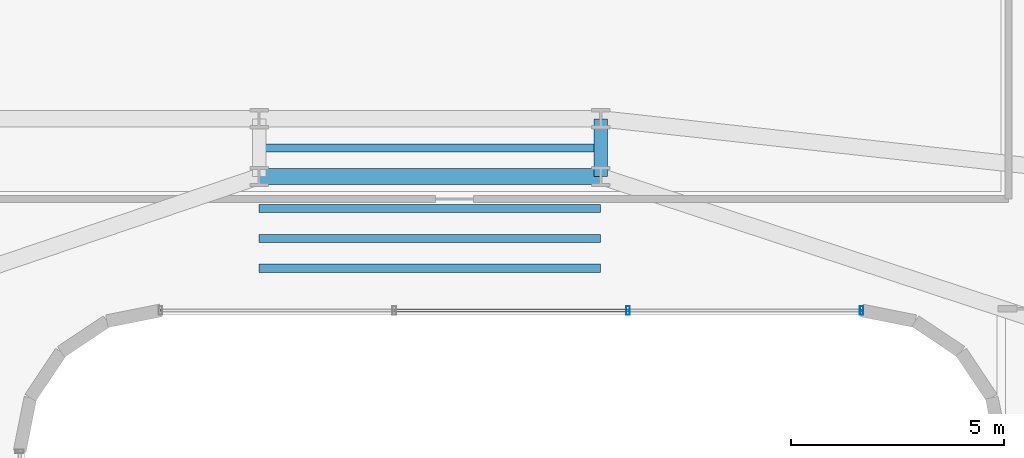
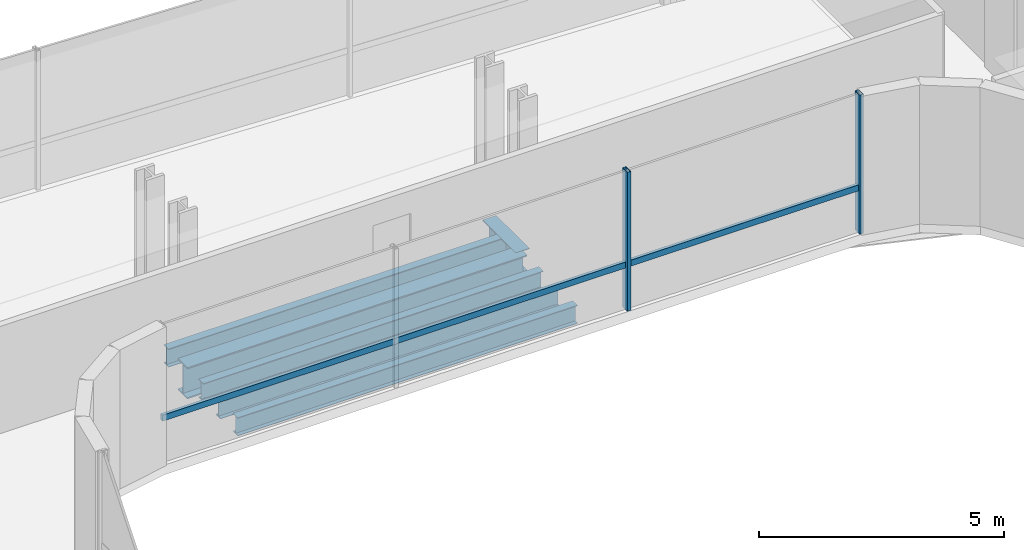
# One storey, part 15 of 35: 6 beams, 3 members, 1 element without a shape of its own.
"""IFC4 building model written with IfcOpenShell, lengths in metres."""

from ifc_helpers import new_model, si_unit, direction, frame, origin, origin_2d, place, context, subcontext, project, spatial, hollow_rectangle, i_section, extrude, source, transform, mapped, material, material_profile, profile_set, type_object, element, aggregate, save


model = new_model("IFC4")

# Units and contexts
model_context = context("Model", 3, precision=1e-05, world=origin(), true_north=direction((0.0, 1.0)))
body_context = subcontext(model_context, "Body", "Model", "MODEL_VIEW")
ifc_project = project(units=[si_unit("LENGTHUNIT", "METRE"), si_unit("AREAUNIT", "SQUARE_METRE"), si_unit("VOLUMEUNIT", "CUBIC_METRE"), si_unit("PLANEANGLEUNIT", "RADIAN"), si_unit("MASSUNIT", "GRAM", prefix="KILO")], contexts=[model_context])

# Site, building, storey
site_placement = place(None, origin())
site = spatial("IfcSite", under=ifc_project, at=site_placement, CompositionType="ELEMENT")
building_placement = place(site_placement, origin())
building = spatial("IfcBuilding", under=site, at=building_placement, Name="Valdorenza Pilgrim Sanctuary Tower", CompositionType="ELEMENT")
storey_placement = place(building_placement, frame((0.0, 0.0, 124.199951171875)))
storey = spatial("IfcBuildingStorey", under=building, at=storey_placement, Name="L31", CompositionType="ELEMENT", Elevation=124.199951171875)

# Beams
ifc_material_1 = material(Name="Steel ASTM A992 Grade 50", Category="steel")
ifc_material_profile_1 = material_profile(ifc_material_1, i_section(OverallWidth=0.323974609375, OverallDepth=0.611083984375, WebThickness=0.0126953125, FlangeThickness=0.01904296875, at=origin_2d()), Name="W24X104")
ifc_profile_set_1 = profile_set([ifc_material_profile_1], Name="Steel ASTM A992 Grade 50")
beam_type_1 = type_object("IfcBeamType", Name="STR-BM-GRD-W24B", PredefinedType="BEAM", material=ifc_profile_set_1)
shared_shape_1 = source(origin(), body_context, "Body", "SweptSolid", [
    extrude(i_section(OverallWidth=0.323974609375, OverallDepth=0.611083984375, WebThickness=0.0126953125, FlangeThickness=0.01904296875, at=origin_2d()), origin(), (0.0, 0.0, 1.0), 1.35009765625),
])
beam_1_placement = place(storey_placement, frame((4.0, 13.449951171875, -0.54541015625), z_axis=(0.0, 1.0, 0.0), x_axis=(-1.0, 0.0, 0.0)))
element("IfcBeam", 1, at=beam_1_placement, inside=storey, type_object=beam_type_1, Name="L31 Floor Girder KNK-TIE-E", PredefinedType="BEAM", context=body_context, shape_type="MappedRepresentation", body=[
    mapped(shared_shape_1, transform((0.0, 0.0, 0.0), x_axis=(1.0, 0.0, 0.0), y_axis=(0.0, 1.0, 0.0), z_axis=(0.0, 0.0, 1.0), scale=1.0)),
])
ifc_material_profile_2 = material_profile(ifc_material_1, i_section(OverallWidth=0.382080078125, OverallDepth=0.779052734375, WebThickness=0.01806640625, FlangeThickness=0.030029296875, at=origin_2d()), Name="W30X191")
ifc_profile_set_2 = profile_set([ifc_material_profile_2], Name="Steel ASTM A992 Grade 50")
beam_type_2 = type_object("IfcBeamType", Name="STR-BM-GRD-W30", PredefinedType="BEAM", material=ifc_profile_set_2)
shared_shape_2 = source(origin(), body_context, "Body", "SweptSolid", [
    extrude(i_section(OverallWidth=0.382080078125, OverallDepth=0.779052734375, WebThickness=0.01806640625, FlangeThickness=0.030029296875, at=origin_2d()), origin(), (0.0, 0.0, 1.0), 8.0),
])
beam_2_placement = place(storey_placement, frame((-4.0, 13.449951171875, -0.62939453125), z_axis=(1.0, 0.0, 0.0), x_axis=(0.0, 1.0, 0.0)))
element("IfcBeam", 2, at=beam_2_placement, inside=storey, type_object=beam_type_2, Name="L31 Floor Girder KNK-G2", PredefinedType="BEAM", context=body_context, shape_type="MappedRepresentation", body=[
    mapped(shared_shape_2, transform((0.0, 0.0, 0.0), x_axis=(1.0, 0.0, 0.0), y_axis=(0.0, 1.0, 0.0), z_axis=(0.0, 0.0, 1.0), scale=1.0)),
])
ifc_material_profile_3 = material_profile(ifc_material_1, i_section(OverallWidth=0.19091796875, OverallDepth=0.45703125, WebThickness=0.009033203125, FlangeThickness=0.014404296875, at=origin_2d()), Name="W18X50")
ifc_profile_set_3 = profile_set([ifc_material_profile_3], Name="Steel ASTM A992 Grade 50")
beam_type_3 = type_object("IfcBeamType", Name="STR-BM-JST-W18B", PredefinedType="JOIST", material=ifc_profile_set_3)
shared_shape_3 = source(origin(), body_context, "Body", "SweptSolid", [
    extrude(i_section(OverallWidth=0.19091796875, OverallDepth=0.45703125, WebThickness=0.009033203125, FlangeThickness=0.014404296875, at=origin_2d()), origin(), (0.0, 0.0, 1.0), 8.0),
])
for number, where, z_axis, x_axis, name in (
    (3, (-4.0, 11.300048828125, -0.468505859375), (1.0, 0.0, 0.0), (0.0, 1.0, 0.0), "L31 Knuckle Composite Joist JST-KNK-1"),
    (4, (-4.0, 12.0, -0.468505859375), (1.0, 0.0, 0.0), (0.0, 1.0, 0.0), "L31 Knuckle Composite Joist JST-KNK-2"),
    (5, (-4.0, 12.699951171875, -0.468505859375), (1.0, 0.0, 0.0), (0.0, 1.0, 0.0), "L31 Knuckle Composite Joist JST-KNK-3"),
    (6, (-4.0, 14.1201171875, -0.468505859375), (1.0, 0.0, 0.0), (0.0, 1.0, 0.0), "L31 Knuckle Composite Joist JST-KNK-4"),
):
    element("IfcBeam", number, at=place(storey_placement, frame(where, z_axis=z_axis, x_axis=x_axis)), inside=storey, type_object=beam_type_3, Name=name, PredefinedType="JOIST", context=body_context, shape_type="MappedRepresentation", body=[
        mapped(shared_shape_3, transform((0.0, 0.0, 0.0), x_axis=(1.0, 0.0, 0.0), y_axis=(0.0, 1.0, 0.0), z_axis=(0.0, 0.0, 1.0), scale=1.0)),
    ])

# Curtain wall, members
ifc_material_2 = material(Name="Curtain-wall IGU glazing", Category="glass")
curtain_wall_type = type_object("IfcCurtainWallType", Name="CW-SYS-02", PredefinedType="NOTDEFINED", material=ifc_material_2)
curtain_wall_placement = place(storey_placement, origin())
curtain_wall = element("IfcCurtainWall", 7, at=curtain_wall_placement, inside=storey, type_object=curtain_wall_type, Name="L31 Curtain Wall CW-L31-1-36", PredefinedType="NOTDEFINED")
ifc_material_3 = material(Name="Anodised aluminium AW-6060", Category="aluminium")
ifc_material_profile_4 = material_profile(ifc_material_3, hollow_rectangle(XDim=0.0849609375, YDim=0.199951171875, WallThickness=0.0048828125, at=origin_2d()), Name="ALU-M 200x85x5")
ifc_profile_set_4 = profile_set([ifc_material_profile_4], Name="Anodised aluminium AW-6060")
member_type_1 = type_object("IfcMemberType", Name="CW-MUL-02", PredefinedType="MULLION", material=ifc_profile_set_4)
shared_shape_4 = source(origin(), body_context, "Body", "SweptSolid", [
    extrude(hollow_rectangle(XDim=0.0849609375, YDim=0.199951171875, WallThickness=0.0048828125, at=origin_2d()), origin(), (0.0, 0.0, 1.0), 3.4599609375),
])
member_1_placement = place(storey_placement, frame((10.11083984375, 10.31005859375, 0.0), z_axis=(0.0, 0.0, 1.0), x_axis=(-1.0, 0.0, 0.0)))
member_1 = element("IfcMember", 8, at=member_1_placement, type_object=member_type_1, Name="CW-L31-1-36 Mullion 1", PredefinedType="MULLION", context=body_context, shape_type="MappedRepresentation", body=[
    mapped(shared_shape_4, transform((0.0, 0.0, 0.0), x_axis=(1.0, 0.0, 0.0), y_axis=(0.0, 1.0, 0.0), z_axis=(0.0, 0.0, 1.0), scale=1.0)),
])
member_2_placement = place(storey_placement, frame((4.636962890625, 10.31005859375, 0.0), z_axis=(0.0, 0.0, 1.0), x_axis=(-1.0, 0.0, 0.0)))
member_2 = element("IfcMember", 9, at=member_2_placement, type_object=member_type_1, Name="CW-L31-1-36 Mullion 2", PredefinedType="MULLION", context=body_context, shape_type="MappedRepresentation", body=[
    mapped(shared_shape_4, transform((0.0, 0.0, 0.0), x_axis=(1.0, 0.0, 0.0), y_axis=(0.0, 1.0, 0.0), z_axis=(0.0, 0.0, 1.0), scale=1.0)),
])
ifc_material_profile_5 = material_profile(ifc_material_3, hollow_rectangle(XDim=0.074951171875, YDim=0.14990234375, WallThickness=0.00390625, at=origin_2d()), Name="ALU-T 150x75x4")
ifc_profile_set_5 = profile_set([ifc_material_profile_5], Name="Anodised aluminium AW-6060")
member_type_2 = type_object("IfcMemberType", Name="CW-TRN-02", PredefinedType="USERDEFINED", material=ifc_profile_set_5)
shared_shape_5 = source(origin(), body_context, "Body", "SweptSolid", [
    extrude(hollow_rectangle(XDim=0.074951171875, YDim=0.14990234375, WallThickness=0.00390625, at=origin_2d()), origin(), (0.0, 0.0, 1.0), 16.421630859375),
])
member_3_placement = place(storey_placement, frame((10.11083984375, 10.31005859375, 1.1201171875), z_axis=(-1.0, 0.0, 0.0), x_axis=(0.0, -1.0, 0.0)))
member_3 = element("IfcMember", 10, at=member_3_placement, type_object=member_type_2, Name="CW-L31-1-36 Transom 1", ObjectType="TRANSOM", PredefinedType="USERDEFINED", context=body_context, shape_type="MappedRepresentation", body=[
    mapped(shared_shape_5, transform((0.0, 0.0, 0.0), x_axis=(1.0, 0.0, 0.0), y_axis=(0.0, 1.0, 0.0), z_axis=(0.0, 0.0, 1.0), scale=1.0)),
])
aggregate(curtain_wall, [member_1, member_2, member_3])

save(model, "model.ifc")
